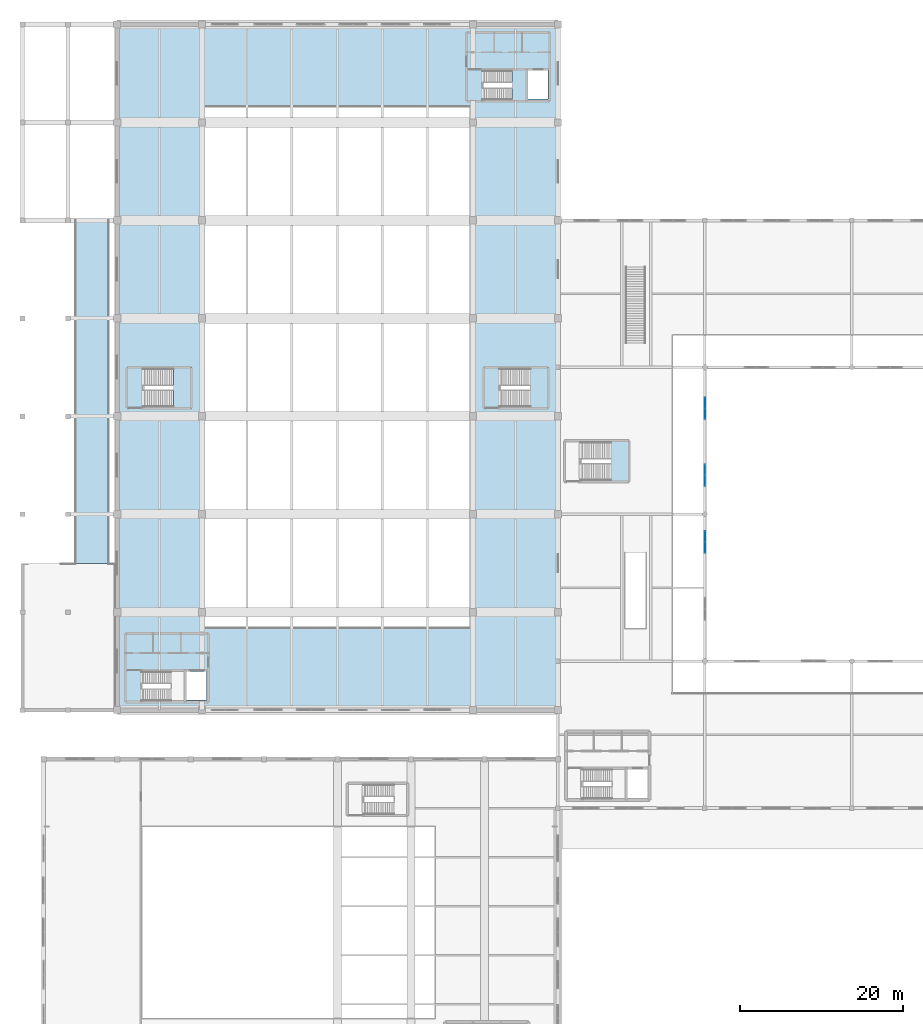
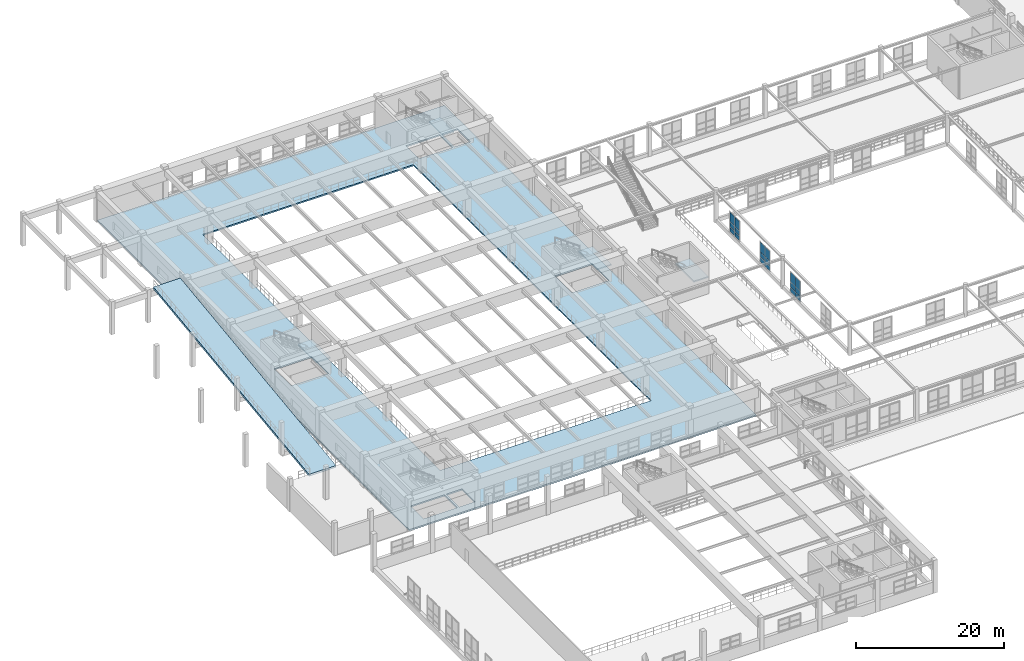
# One storey, part 159 of 197: 18 plates, 6 slabs, 7 elements without a shape of their own.
"""IFC4 building model written with IfcOpenShell, lengths in metres."""

from ifc_helpers import new_model, si_unit, derived_unit, direction, frame, origin, origin_2d, place, context, subcontext, project, spatial, polyline, rectangle, outline, extrude, material, layer, layer_set, type_object, element, aggregate, save


model = new_model("IFC4")

# Units and contexts
model_context = context("Model", 3, precision=1e-05, world=origin(), true_north=direction((0.0, 1.0)))
body_context = subcontext(model_context, "Body", "Model", "MODEL_VIEW")
ifc_project = project(units=[si_unit("LENGTHUNIT", "METRE"), si_unit("AREAUNIT", "SQUARE_METRE"), si_unit("VOLUMEUNIT", "CUBIC_METRE"), si_unit("PLANEANGLEUNIT", "RADIAN"), si_unit("MASSUNIT", "GRAM", prefix="KILO"), derived_unit("THERMALTRANSMITTANCEUNIT", [(si_unit("POWERUNIT", "WATT"), 1), (si_unit("LENGTHUNIT", "METRE"), -2), (si_unit("THERMODYNAMICTEMPERATUREUNIT", "KELVIN"), -1)])], contexts=[model_context])

# Site, building, storey
site_placement = place(None, origin())
site = spatial("IfcSite", under=ifc_project, at=site_placement, CompositionType="ELEMENT")
building_placement = place(site_placement, origin())
building = spatial("IfcBuilding", under=site, at=building_placement, Name="Almenara Railside Exhibition Hall", CompositionType="ELEMENT")
storey_placement = place(building_placement, frame((0.0, 0.0, 5.39990234375)))
storey = spatial("IfcBuildingStorey", under=building, at=storey_placement, Name="L01", CompositionType="ELEMENT", Elevation=5.39990234375)

# Curtain wall, plates
ifc_material_1 = material(Name="Bronze-anodised aluminium and low-E double glazing", Category="aluminium")
ifc_layer_1 = layer(ifc_material_1, 0.179931640625, Name="Bronze-anodised aluminium and low-E double glazing")
ifc_layer_set_1 = layer_set([ifc_layer_1], Name="Bronze-anodised aluminium and low-E double glazing")
curtain_wall_type = type_object("IfcCurtainWallType", Name="Courtyard South Galeria Curtain Wall 2700x3400", PredefinedType="NOTDEFINED", material=ifc_layer_set_1)
curtain_wall_1_placement = place(storey_placement, origin())
curtain_wall_1 = element("IfcCurtainWall", 1, at=curtain_wall_1_placement, inside=storey, type_object=curtain_wall_type, Name="Curtain wall CW-CY3-157", PredefinedType="NOTDEFINED")
ifc_material_2 = material(Name="Clear low-E laminated double glazing", Category="glass")
ifc_layer_2 = layer(ifc_material_2, 0.02392578125, Name="Clear low-E laminated double glazing")
ifc_layer_set_2 = layer_set([ifc_layer_2], Name="Clear low-E laminated double glazing")
plate_type_1 = type_object("IfcPlateType", Name="Courtyard Clear Double Glazing Panel 24mm", PredefinedType="CURTAIN_PANEL", material=ifc_layer_set_2)
plate_1_placement = place(storey_placement, frame((84.0, 77.4462890625, 0.69384765625), z_axis=(0.0, 0.0, 1.0), x_axis=(0.0, -1.0, 0.0)))
plate_1 = element("IfcPlate", 2, at=plate_1_placement, type_object=plate_type_1, Name="CW-CY3-157 panel 1.1", PredefinedType="CURTAIN_PANEL", context=body_context, shape_type="SweptSolid", body=[
    extrude(rectangle(XDim=1.27587890625, YDim=0.02392578125, at=origin_2d()), origin(), (0.0, 0.0, 1.0), 0.717041015625),
])
plate_2_placement = place(storey_placement, frame((84.0, 77.4462890625, 1.489013671875), z_axis=(0.0, 0.0, 1.0), x_axis=(0.0, -1.0, 0.0)))
plate_2 = element("IfcPlate", 3, at=plate_2_placement, type_object=plate_type_1, Name="CW-CY3-157 panel 1.2", PredefinedType="CURTAIN_PANEL", context=body_context, shape_type="SweptSolid", body=[
    extrude(rectangle(XDim=1.27587890625, YDim=0.02392578125, at=origin_2d()), origin(), (0.0, 0.0, 1.0), 0.77197265625),
])
plate_3_placement = place(storey_placement, frame((84.0, 77.4462890625, 2.339111328125), z_axis=(0.0, 0.0, 1.0), x_axis=(0.0, -1.0, 0.0)))
plate_3 = element("IfcPlate", 4, at=plate_3_placement, type_object=plate_type_1, Name="CW-CY3-157 panel 1.3", PredefinedType="CURTAIN_PANEL", context=body_context, shape_type="SweptSolid", body=[
    extrude(rectangle(XDim=1.27587890625, YDim=0.02392578125, at=origin_2d()), origin(), (0.0, 0.0, 1.0), 1.56689453125),
])
plate_4_placement = place(storey_placement, frame((84.0, 76.12646484375, 0.69384765625), z_axis=(0.0, 0.0, 1.0), x_axis=(0.0, -1.0, 0.0)))
plate_4 = element("IfcPlate", 5, at=plate_4_placement, type_object=plate_type_1, Name="CW-CY3-157 panel 2.1", PredefinedType="CURTAIN_PANEL", context=body_context, shape_type="SweptSolid", body=[
    extrude(rectangle(XDim=1.27587890625, YDim=0.02392578125, at=origin_2d()), origin(), (0.0, 0.0, 1.0), 0.717041015625),
])
plate_5_placement = place(storey_placement, frame((84.0, 76.12646484375, 1.489013671875), z_axis=(0.0, 0.0, 1.0), x_axis=(0.0, -1.0, 0.0)))
plate_5 = element("IfcPlate", 6, at=plate_5_placement, type_object=plate_type_1, Name="CW-CY3-157 panel 2.2", PredefinedType="CURTAIN_PANEL", context=body_context, shape_type="SweptSolid", body=[
    extrude(rectangle(XDim=1.27587890625, YDim=0.02392578125, at=origin_2d()), origin(), (0.0, 0.0, 1.0), 0.77197265625),
])
plate_6_placement = place(storey_placement, frame((84.0, 76.12646484375, 2.339111328125), z_axis=(0.0, 0.0, 1.0), x_axis=(0.0, -1.0, 0.0)))
plate_6 = element("IfcPlate", 7, at=plate_6_placement, type_object=plate_type_1, Name="CW-CY3-157 panel 2.3", PredefinedType="CURTAIN_PANEL", context=body_context, shape_type="SweptSolid", body=[
    extrude(rectangle(XDim=1.27587890625, YDim=0.02392578125, at=origin_2d()), origin(), (0.0, 0.0, 1.0), 1.56689453125),
])
aggregate(curtain_wall_1, [plate_1, plate_2, plate_3, plate_4, plate_5, plate_6])

# Slabs
ifc_material_3 = material(Name="Concrete C35/45", Category="concrete")
ifc_layer_3 = layer(ifc_material_3, 0.235107421875, Name="Concrete C35/45")
ifc_layer_set_3 = layer_set([ifc_layer_3], Name="Concrete C35/45")
slab_type_1 = type_object("IfcSlabType", Name="Gallery Mezzanine Slab 235mm C35/45", PredefinedType="FLOOR", material=ifc_layer_set_3)
slab_1_placement = place(storey_placement, frame((0.0, 0.0, -0.23486328125)))
element("IfcSlab", 8, at=slab_1_placement, inside=storey, type_object=slab_type_1, Name="West Hall L01 gallery ring 012", PredefinedType="FLOOR", context=body_context, shape_type="SweptSolid", body=[
    extrude(outline(polyline([(12.0, 48.0), (66.0, 48.0), (66.0, 132.0), (12.0, 132.0), (12.0, 48.0)]), holes=[polyline([(14.95068359375, 49.25), (20.199951171875, 49.25), (20.199951171875, 52.739990234375), (14.95068359375, 52.739990234375), (14.95068359375, 49.25)]), polyline([(20.5, 49.25), (22.949951171875, 49.25), (22.949951171875, 52.739990234375), (20.5, 52.739990234375), (20.5, 49.25)]), polyline([(56.750732421875, 122.85009765625), (62.0, 122.85009765625), (62.0, 126.340087890625), (56.750732421875, 126.340087890625), (56.750732421875, 122.85009765625)]), polyline([(62.300048828125, 122.85009765625), (64.75, 122.85009765625), (64.75, 126.340087890625), (62.300048828125, 126.340087890625), (62.300048828125, 122.85009765625)]), polyline([(22.60009765625, 58.0), (55.39990234375, 58.0), (55.39990234375, 122.0), (22.60009765625, 122.0), (22.60009765625, 58.0)]), polyline([(15.15087890625, 85.25), (20.949951171875, 85.25), (20.949951171875, 89.85009765625), (15.15087890625, 89.85009765625), (15.15087890625, 85.25)]), polyline([(58.850830078125, 85.25), (64.64990234375, 85.25), (64.64990234375, 89.85009765625), (58.850830078125, 89.85009765625), (58.850830078125, 85.25)])]), origin(), (0.0, 0.0, 1.0), 0.23486328125),
])
ifc_material_4 = material(Name="Concrete C40/50", Category="concrete")
ifc_layer_4 = layer(ifc_material_4, 0.35009765625, Name="Concrete C40/50")
ifc_layer_set_4 = layer_set([ifc_layer_4], Name="Concrete C40/50")
slab_type_2 = type_object("IfcSlabType", Name="Heavy Truck Upper Vehicle Ramp Slab 350mm C40/50", PredefinedType="USERDEFINED", material=ifc_layer_set_4)
slab_2_placement = place(storey_placement, frame((6.800048828125, 65.998046875, 0.0), z_axis=(0.0, -0.127644850919, 0.991819939321), x_axis=(1.0, 0.0, 0.0)))
element("IfcSlab", 9, at=slab_2_placement, inside=storey, type_object=slab_type_2, Name="Heavy Truck Vehicle Ramp Slab TR-02", ObjectType="APPROACH_SLAB", PredefinedType="USERDEFINED", context=body_context, shape_type="SweptSolid", body=[
    extrude(outline(polyline([(0.0, 0.0), (4.199951171875, 0.0), (4.199951171875, 42.306026803863695), (0.0, 42.306026803863695), (0.0, 0.0)])), origin(), (0.0, 0.0, -1.0), 0.35009765625),
])

# Curtain wall, plates
curtain_wall_2_placement = place(storey_placement, origin())
curtain_wall_2 = element("IfcCurtainWall", 10, at=curtain_wall_2_placement, inside=storey, type_object=curtain_wall_type, Name="Curtain wall CW-CY3-158", PredefinedType="NOTDEFINED")
ifc_material_5 = material(Name="Bronze-anodised insulated aluminium spandrel", Category="aluminium")
ifc_layer_5 = layer(ifc_material_5, 0.0400390625, Name="Bronze-anodised insulated aluminium spandrel")
ifc_layer_set_5 = layer_set([ifc_layer_5], Name="Bronze-anodised insulated aluminium spandrel")
plate_type_2 = type_object("IfcPlateType", Name="Insulated Bronze Spandrel Panel 40mm", PredefinedType="CURTAIN_PANEL", material=ifc_layer_set_5)
plate_7_placement = place(storey_placement, frame((84.0, 69.265869140625, 0.674072265625), z_axis=(0.0, 0.0, 1.0), x_axis=(0.0, -1.0, 0.0)))
plate_7 = element("IfcPlate", 11, at=plate_7_placement, type_object=plate_type_2, Name="CW-CY3-158 panel 1.1", PredefinedType="CURTAIN_PANEL", context=body_context, shape_type="SweptSolid", body=[
    extrude(rectangle(XDim=1.283447265625, YDim=0.0400390625, at=origin_2d()), origin(), (0.0, 0.0, 1.0), 0.7470703125),
])
plate_8_placement = place(storey_placement, frame((84.0, 69.265869140625, 1.47900390625), z_axis=(0.0, 0.0, 1.0), x_axis=(0.0, -1.0, 0.0)))
plate_8 = element("IfcPlate", 12, at=plate_8_placement, type_object=plate_type_2, Name="CW-CY3-158 panel 1.2", PredefinedType="CURTAIN_PANEL", context=body_context, shape_type="SweptSolid", body=[
    extrude(rectangle(XDim=1.283447265625, YDim=0.0400390625, at=origin_2d()), origin(), (0.0, 0.0, 1.0), 0.7919921875),
])
plate_9_placement = place(storey_placement, frame((84.0, 69.265869140625, 2.3291015625), z_axis=(0.0, 0.0, 1.0), x_axis=(0.0, -1.0, 0.0)))
plate_9 = element("IfcPlate", 13, at=plate_9_placement, type_object=plate_type_2, Name="CW-CY3-158 panel 1.3", PredefinedType="CURTAIN_PANEL", context=body_context, shape_type="SweptSolid", body=[
    extrude(rectangle(XDim=1.283447265625, YDim=0.0400390625, at=origin_2d()), origin(), (0.0, 0.0, 1.0), 1.596923828125),
])
plate_10_placement = place(storey_placement, frame((84.0, 67.943359375, 0.674072265625), z_axis=(0.0, 0.0, 1.0), x_axis=(0.0, -1.0, 0.0)))
plate_10 = element("IfcPlate", 14, at=plate_10_placement, type_object=plate_type_2, Name="CW-CY3-158 panel 2.1", PredefinedType="CURTAIN_PANEL", context=body_context, shape_type="SweptSolid", body=[
    extrude(rectangle(XDim=1.283447265625, YDim=0.0400390625, at=origin_2d()), origin(), (0.0, 0.0, 1.0), 0.7470703125),
])
plate_11_placement = place(storey_placement, frame((84.0, 67.943359375, 1.47900390625), z_axis=(0.0, 0.0, 1.0), x_axis=(0.0, -1.0, 0.0)))
plate_11 = element("IfcPlate", 15, at=plate_11_placement, type_object=plate_type_2, Name="CW-CY3-158 panel 2.2", PredefinedType="CURTAIN_PANEL", context=body_context, shape_type="SweptSolid", body=[
    extrude(rectangle(XDim=1.283447265625, YDim=0.0400390625, at=origin_2d()), origin(), (0.0, 0.0, 1.0), 0.7919921875),
])
plate_12_placement = place(storey_placement, frame((84.0, 67.943359375, 2.3291015625), z_axis=(0.0, 0.0, 1.0), x_axis=(0.0, -1.0, 0.0)))
plate_12 = element("IfcPlate", 16, at=plate_12_placement, type_object=plate_type_2, Name="CW-CY3-158 panel 2.3", PredefinedType="CURTAIN_PANEL", context=body_context, shape_type="SweptSolid", body=[
    extrude(rectangle(XDim=1.283447265625, YDim=0.0400390625, at=origin_2d()), origin(), (0.0, 0.0, 1.0), 1.596923828125),
])
aggregate(curtain_wall_2, [plate_7, plate_8, plate_9, plate_10, plate_11, plate_12])

curtain_wall_3_placement = place(storey_placement, origin())
curtain_wall_3 = element("IfcCurtainWall", 17, at=curtain_wall_3_placement, inside=storey, type_object=curtain_wall_type, Name="Curtain wall CW-CY3-156", PredefinedType="NOTDEFINED")
ifc_material_6 = material(Name="Solar-control low-E laminated double glazing", Category="glass")
ifc_layer_6 = layer(ifc_material_6, 0.028076171875, Name="Solar-control low-E laminated double glazing")
ifc_layer_set_6 = layer_set([ifc_layer_6], Name="Solar-control low-E laminated double glazing")
plate_type_3 = type_object("IfcPlateType", Name="Low-E Solar Control Double Glazing Panel 28mm", PredefinedType="CURTAIN_PANEL", material=ifc_layer_set_6)
plate_13_placement = place(storey_placement, frame((84.0, 85.626953125, 0.72412109375), z_axis=(0.0, 0.0, 1.0), x_axis=(0.0, -1.0, 0.0)))
plate_13 = element("IfcPlate", 18, at=plate_13_placement, type_object=plate_type_3, Name="CW-CY3-156 panel 1.1", PredefinedType="CURTAIN_PANEL", context=body_context, shape_type="SweptSolid", body=[
    extrude(rectangle(XDim=1.2685546875, YDim=0.028076171875, at=origin_2d()), origin(), (0.0, 0.0, 1.0), 0.672119140625),
])
plate_14_placement = place(storey_placement, frame((84.0, 85.626953125, 1.50390625), z_axis=(0.0, 0.0, 1.0), x_axis=(0.0, -1.0, 0.0)))
plate_14 = element("IfcPlate", 19, at=plate_14_placement, type_object=plate_type_3, Name="CW-CY3-156 panel 1.2", PredefinedType="CURTAIN_PANEL", context=body_context, shape_type="SweptSolid", body=[
    extrude(rectangle(XDim=1.2685546875, YDim=0.028076171875, at=origin_2d()), origin(), (0.0, 0.0, 1.0), 0.741943359375),
])
plate_15_placement = place(storey_placement, frame((84.0, 85.626953125, 2.35400390625), z_axis=(0.0, 0.0, 1.0), x_axis=(0.0, -1.0, 0.0)))
plate_15 = element("IfcPlate", 20, at=plate_15_placement, type_object=plate_type_3, Name="CW-CY3-156 panel 1.3", PredefinedType="CURTAIN_PANEL", context=body_context, shape_type="SweptSolid", body=[
    extrude(rectangle(XDim=1.2685546875, YDim=0.028076171875, at=origin_2d()), origin(), (0.0, 0.0, 1.0), 1.52197265625),
])
plate_16_placement = place(storey_placement, frame((84.0, 84.3095703125, 0.72412109375), z_axis=(0.0, 0.0, 1.0), x_axis=(0.0, -1.0, 0.0)))
plate_16 = element("IfcPlate", 21, at=plate_16_placement, type_object=plate_type_3, Name="CW-CY3-156 panel 2.1", PredefinedType="CURTAIN_PANEL", context=body_context, shape_type="SweptSolid", body=[
    extrude(rectangle(XDim=1.2685546875, YDim=0.028076171875, at=origin_2d()), origin(), (0.0, 0.0, 1.0), 0.672119140625),
])
plate_17_placement = place(storey_placement, frame((84.0, 84.3095703125, 1.50390625), z_axis=(0.0, 0.0, 1.0), x_axis=(0.0, -1.0, 0.0)))
plate_17 = element("IfcPlate", 22, at=plate_17_placement, type_object=plate_type_3, Name="CW-CY3-156 panel 2.2", PredefinedType="CURTAIN_PANEL", context=body_context, shape_type="SweptSolid", body=[
    extrude(rectangle(XDim=1.2685546875, YDim=0.028076171875, at=origin_2d()), origin(), (0.0, 0.0, 1.0), 0.741943359375),
])
plate_18_placement = place(storey_placement, frame((84.0, 84.3095703125, 2.35400390625), z_axis=(0.0, 0.0, 1.0), x_axis=(0.0, -1.0, 0.0)))
plate_18 = element("IfcPlate", 23, at=plate_18_placement, type_object=plate_type_3, Name="CW-CY3-156 panel 2.3", PredefinedType="CURTAIN_PANEL", context=body_context, shape_type="SweptSolid", body=[
    extrude(rectangle(XDim=1.2685546875, YDim=0.028076171875, at=origin_2d()), origin(), (0.0, 0.0, 1.0), 1.52197265625),
])
aggregate(curtain_wall_3, [plate_13, plate_14, plate_15, plate_16, plate_17, plate_18])

# Stair, slab
stair_type_1 = type_object("IfcStairType", Name="Core Dog-Leg Escape Stair 1520mm", PredefinedType="TWO_STRAIGHT_RUN_STAIR", material=ifc_material_3)
stair_1_placement = place(storey_placement, origin())
stair_1 = element("IfcStair", 24, at=stair_1_placement, inside=storey, type_object=stair_type_1, Name="Escape stair ST-C2-L01", PredefinedType="TWO_STRAIGHT_RUN_STAIR")
ifc_layer_7 = layer(ifc_material_3, 0.199951171875, Name="Concrete C35/45")
ifc_layer_set_7 = layer_set([ifc_layer_7], Name="Concrete C35/45")
slab_type_3 = type_object("IfcSlabType", Name="Stair Half-Landing Slab 200mm C35/45", PredefinedType="LANDING", material=ifc_layer_set_7)
slab_3_placement = place(storey_placement, frame((0.0, 0.0, 2.5)))
slab_3 = element("IfcSlab", 25, at=slab_3_placement, type_object=slab_type_3, Name="ST-C2-L01 landing 1", PredefinedType="LANDING", context=body_context, shape_type="SweptSolid", body=[
    extrude(outline(polyline([(60.35986328125, 122.64990234375), (62.090087890625, 122.64990234375), (62.090087890625, 126.47998046875), (60.35986328125, 126.47998046875), (60.35986328125, 122.64990234375)])), origin(), (0.0, 0.0, 1.0), 0.2001953125),
])
aggregate(stair_1, [slab_3])

stair_type_2 = type_object("IfcStairType", Name="Hall Escape Dog-Leg Stair 2100mm", PredefinedType="TWO_STRAIGHT_RUN_STAIR", material=ifc_material_3)
stair_2_placement = place(storey_placement, origin())
stair_2 = element("IfcStair", 26, at=stair_2_placement, inside=storey, type_object=stair_type_2, Name="Escape stair HST1-L01", PredefinedType="TWO_STRAIGHT_RUN_STAIR")
slab_4_placement = place(storey_placement, frame((0.0, 0.0, 2.5)))
slab_4 = element("IfcSlab", 27, at=slab_4_placement, type_object=slab_type_3, Name="HST1-L01 landing 1", PredefinedType="LANDING", context=body_context, shape_type="SweptSolid", body=[
    extrude(outline(polyline([(18.889892578125, 85.050048828125), (21.139892578125, 85.050048828125), (21.139892578125, 89.97998046875), (18.889892578125, 89.97998046875), (18.889892578125, 85.050048828125)])), origin(), (0.0, 0.0, 1.0), 0.2001953125),
])
aggregate(stair_2, [slab_4])

stair_3_placement = place(storey_placement, origin())
stair_3 = element("IfcStair", 28, at=stair_3_placement, inside=storey, type_object=stair_type_2, Name="Escape stair HST2-L01", PredefinedType="TWO_STRAIGHT_RUN_STAIR")
slab_5_placement = place(storey_placement, frame((0.0, 0.0, 2.5)))
slab_5 = element("IfcSlab", 29, at=slab_5_placement, type_object=slab_type_3, Name="HST2-L01 landing 1", PredefinedType="LANDING", context=body_context, shape_type="SweptSolid", body=[
    extrude(outline(polyline([(62.590087890625, 85.050048828125), (64.840087890625, 85.050048828125), (64.840087890625, 89.97998046875), (62.590087890625, 89.97998046875), (62.590087890625, 85.050048828125)])), origin(), (0.0, 0.0, 1.0), 0.2001953125),
])
aggregate(stair_3, [slab_5])

stair_4_placement = place(storey_placement, origin())
stair_4 = element("IfcStair", 30, at=stair_4_placement, inside=storey, type_object=stair_type_2, Name="Escape stair HST3-L01", PredefinedType="TWO_STRAIGHT_RUN_STAIR")
slab_6_placement = place(storey_placement, frame((0.0, 0.0, 2.5)))
slab_6 = element("IfcSlab", 31, at=slab_6_placement, type_object=slab_type_3, Name="HST3-L01 landing 1", PredefinedType="LANDING", context=body_context, shape_type="SweptSolid", body=[
    extrude(outline(polyline([(72.489990234375, 76.050048828125), (74.739990234375, 76.050048828125), (74.739990234375, 80.97998046875), (72.489990234375, 80.97998046875), (72.489990234375, 76.050048828125)])), origin(), (0.0, 0.0, 1.0), 0.2001953125),
])
aggregate(stair_4, [slab_6])

save(model, "model.ifc")
